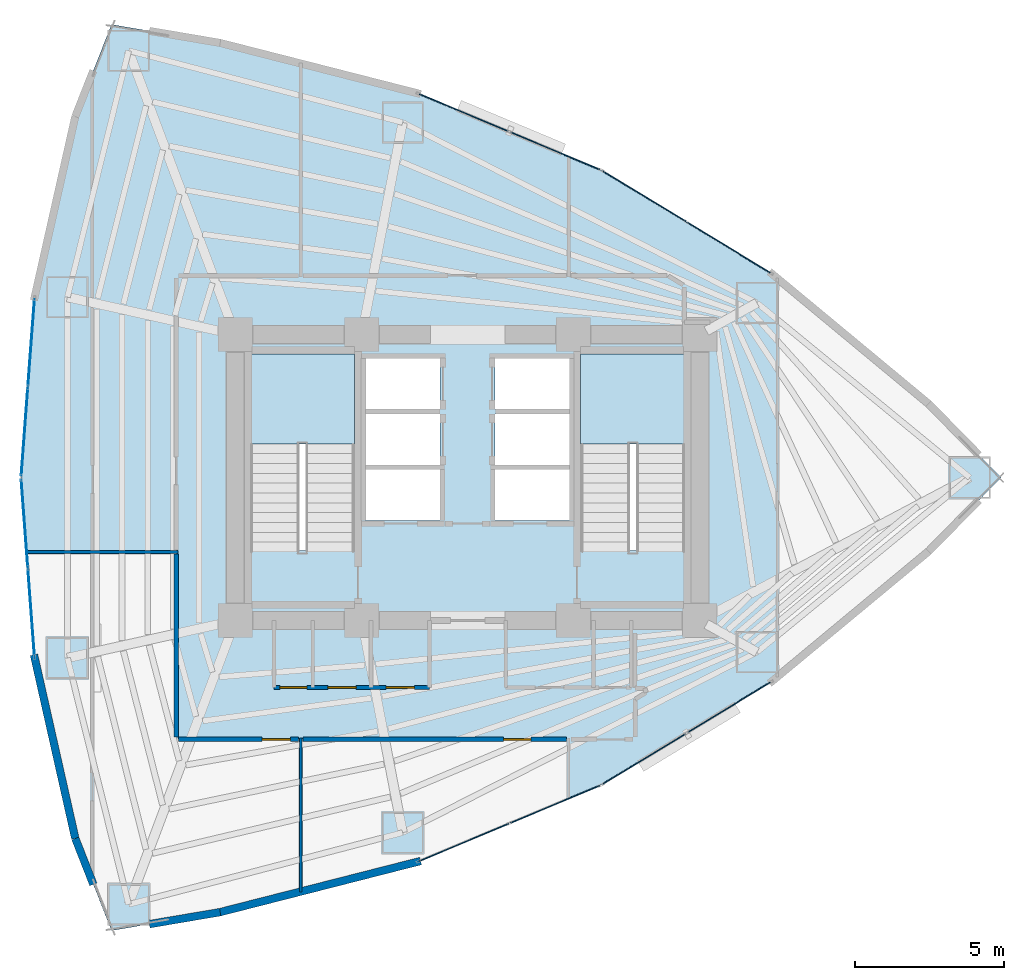
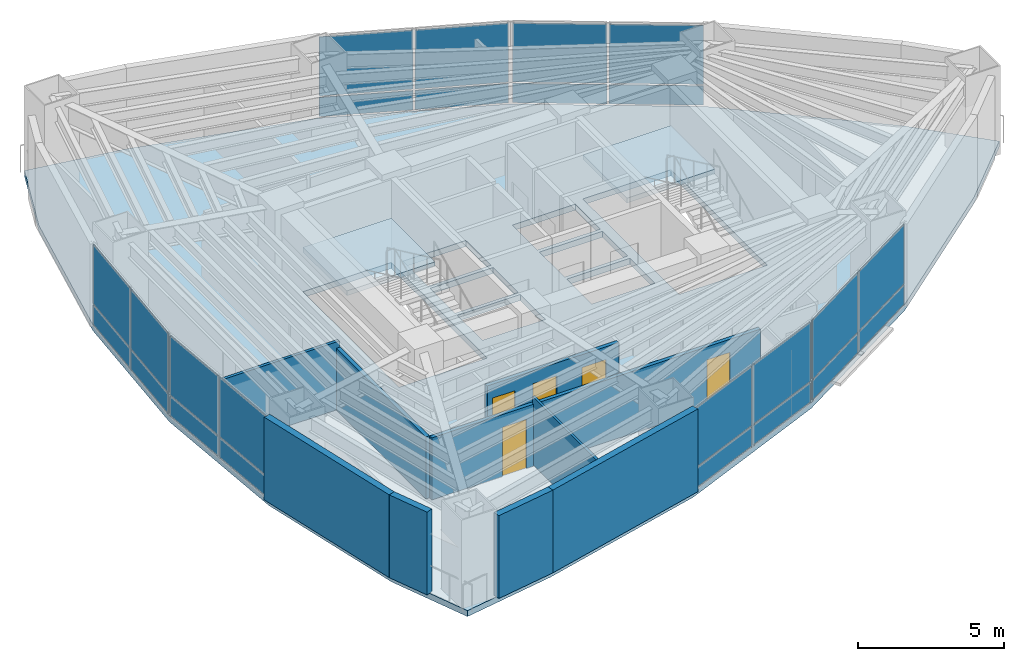
# One storey, part 13 of 17: 24 plates, 10 walls, 5 doors, 3 slabs, 5 openings, 8 elements without a shape of their own.
"""IFC4 building model written with IfcOpenShell, lengths in metres."""

import ifcopenshell
import ifcopenshell.guid

model = None  # the IFC model being written
_history = None  # IfcOwnerHistory: only IFC2X3 demands one
_inside = {}  # id of a spatial element -> (the spatial element, [elements in it])
_under = {}  # id of a project, library or spatial element -> (it, [spatial elements below it])
_declared = {}  # id of a project -> (the project, [libraries it declares])
_typed = {}  # id of a type object -> (the type object, [elements of that type])
_made_of = {}  # id of a material, layer set ... -> (it, [elements and type objects made of it])


def new_model(schema):
    """Start an empty IFC model of exactly this schema.

    Asked for "IFC4X3", IfcOpenShell would pick the latest addendum, in which some entities
    have other attributes; the version numbers below select the first issue.
    IFC2X3 requires an IfcOwnerHistory on every rooted entity: one is made here for all.
    """
    global model, _history
    if schema == "IFC4X3":
        model = ifcopenshell.file(schema_version=(4, 3, 0, 0))
    else:
        model = ifcopenshell.file(schema=schema)
    _inside.clear()
    _under.clear()
    _declared.clear()
    _typed.clear()
    _made_of.clear()
    _history = None
    if model.schema == "IFC2X3":
        org = make("IfcOrganization", Name="unknown")
        user = make(
            "IfcPersonAndOrganization",
            ThePerson=make("IfcPerson", FamilyName="unknown"),
            TheOrganization=org,
        )
        app = make(
            "IfcApplication",
            ApplicationDeveloper=org,
            Version="unknown",
            ApplicationFullName="unknown",
            ApplicationIdentifier="unknown",
        )
        _history = make(
            "IfcOwnerHistory",
            OwningUser=user,
            OwningApplication=app,
            ChangeAction="ADDED",
            CreationDate=0,
        )
    return model


def make(cls, **values):
    """One entity of the class cls with the attributes given. An attribute that is None is left unset."""
    return model.create_entity(
        cls, **{name: value for name, value in values.items() if value is not None}
    )


def rooted(cls, **values):
    """An entity with a GlobalId (a new one), such as an element, a storey or a relation."""
    return make(cls, GlobalId=ifcopenshell.guid.new(), OwnerHistory=_history, **values)


def si_unit(unit_type, name, prefix=None):
    """IfcSIUnit, for example si_unit("LENGTHUNIT", "METRE", prefix="MILLI")."""
    return make("IfcSIUnit", UnitType=unit_type, Prefix=prefix, Name=name)


def assignment(units):
    """IfcUnitAssignment: the units of a project."""
    return None if units is None else make("IfcUnitAssignment", Units=units)


def point(xyz):
    """IfcCartesianPoint."""
    return None if xyz is None else make("IfcCartesianPoint", Coordinates=xyz)


def direction(xyz):
    """IfcDirection."""
    return None if xyz is None else make("IfcDirection", DirectionRatios=xyz)


def frame(location, z_axis=None, x_axis=None):
    """IfcAxis2Placement3D, a coordinate frame: its origin and axes. An axis left out is left unset."""
    return make(
        "IfcAxis2Placement3D",
        Location=point(location),
        Axis=direction(z_axis),
        RefDirection=direction(x_axis),
    )


def frame_2d(location, x_axis=None):
    """IfcAxis2Placement2D, a coordinate frame in the plane: its origin and x axis."""
    return make(
        "IfcAxis2Placement2D", Location=point(location), RefDirection=direction(x_axis)
    )


def origin():
    """The frame at (0, 0, 0) with its axes left unset."""
    return frame((0.0, 0.0, 0.0))


def origin_2d():
    """The frame at (0, 0) in the plane with its x axis left unset."""
    return frame_2d((0.0, 0.0))


def place(relative_to, where):
    """IfcLocalPlacement: puts the frame where relative to a parent placement (None: the world)."""
    return make(
        "IfcLocalPlacement", PlacementRelTo=relative_to, RelativePlacement=where
    )


def context(
    kind, dimensions, precision=None, world=None, true_north=None, identifier=None
):
    """IfcGeometricRepresentationContext, for example the 3D "Model" context."""
    return make(
        "IfcGeometricRepresentationContext",
        ContextIdentifier=identifier,
        ContextType=kind,
        CoordinateSpaceDimension=dimensions,
        Precision=precision,
        WorldCoordinateSystem=world,
        TrueNorth=true_north,
    )


def subcontext(parent, identifier, kind, view, scale=None):
    """IfcGeometricRepresentationSubContext, for example "Body" below "Model"."""
    return make(
        "IfcGeometricRepresentationSubContext",
        ContextIdentifier=identifier,
        ContextType=kind,
        ParentContext=parent,
        TargetScale=scale,
        TargetView=view,
    )


def project(units=None, contexts=None):
    """IfcProject with its units and contexts."""
    return rooted(
        "IfcProject",
        Name="project",
        RepresentationContexts=contexts,
        UnitsInContext=assignment(units),
    )


def spatial(cls, under=None, at=None, **own):
    """A site, building, storey or space (cls), placed at a placement, below another one or the project."""
    s = rooted(cls, ObjectPlacement=at, **own)
    if under is not None:
        _under.setdefault(under.id(), (under, []))[1].append(s)
    return s


def polyline(points):
    """IfcPolyline through the points."""
    return make("IfcPolyline", Points=[point(p) for p in points])


def profile(cls, at=None, kind="AREA", **sizes):
    """A parametric profile (cls). Its sizes go by their IFC names, for example OverallWidth=200.0."""
    return make(cls, ProfileType=kind, Position=at, **sizes)


def rectangle(**sizes):
    """IfcRectangleProfileDef."""
    return profile("IfcRectangleProfileDef", **sizes)


def outline(outer, holes=None, kind="AREA"):
    """IfcArbitraryClosedProfileDef: a profile drawn as a closed curve; with holes, ...WithVoids."""
    if holes is None:
        return make("IfcArbitraryClosedProfileDef", ProfileType=kind, OuterCurve=outer)
    return make(
        "IfcArbitraryProfileDefWithVoids",
        ProfileType=kind,
        OuterCurve=outer,
        InnerCurves=holes,
    )


def extrude(swept, where, along, depth):
    """IfcExtrudedAreaSolid: the profile swept, set in the frame where, extruded along a direction by depth."""
    return make(
        "IfcExtrudedAreaSolid",
        SweptArea=swept,
        Position=where,
        ExtrudedDirection=direction(along),
        Depth=depth,
    )


def shape(context_of_items, identifier, shape_type, items):
    """IfcShapeRepresentation: the items that make up one representation, for example the "Body"."""
    return make(
        "IfcShapeRepresentation",
        ContextOfItems=context_of_items,
        RepresentationIdentifier=identifier,
        RepresentationType=shape_type,
        Items=items,
    )


def material(Name=None, Category=None):
    """IfcMaterial."""
    return make("IfcMaterial", Name=Name, Category=Category)


def layer(
    of_material, thickness, ventilated=None, Name=None, Category=None, Priority=None
):
    """IfcMaterialLayer: one layer of a wall or slab, of a material (None: an air gap)."""
    return make(
        "IfcMaterialLayer",
        Material=of_material,
        LayerThickness=thickness,
        IsVentilated=ventilated,
        Name=Name,
        Category=Category,
        Priority=Priority,
    )


def layer_set(layers, Name=None):
    """IfcMaterialLayerSet."""
    return make("IfcMaterialLayerSet", MaterialLayers=layers, LayerSetName=Name)


def made_of(thing, what):
    """Note that an element or type object is made of a material, layer set ...; save() writes the relation."""
    if what is not None:
        _made_of.setdefault(what.id(), (what, []))[1].append(thing)
    return thing


def type_object(cls, material=None, **own):
    """A type object (cls), such as IfcWallType, which elements share."""
    return made_of(rooted(cls, **own), material)


def element(
    cls,
    number,
    at=None,
    inside=None,
    cuts=None,
    type_object=None,
    material=None,
    context=None,
    identifier="Body",
    shape_type=None,
    held_by="IfcProductDefinitionShape",
    body=None,
    shapes=None,
    **own,
):
    """One element of the class cls, such as IfcWall. Its Tag is "e" and its number.

    at: its placement. inside: the storey or other place that contains it. cuts: it is an
    opening in that element (IfcRelVoidsElement). A single representation is given by context,
    identifier, shape_type and body (its items); several are given by shapes. held_by: the class
    of the entity that holds the representations. save() writes the other relations.
    """
    e = rooted(cls, Tag="e%d" % number, ObjectPlacement=at, **own)
    if body is not None:
        shapes = [shape(context, identifier, shape_type, body)]
    if shapes is not None:
        e.Representation = make(held_by, Representations=shapes)
    if inside is not None:
        _inside.setdefault(inside.id(), (inside, []))[1].append(e)
    if cuts is not None:
        rooted(
            "IfcRelVoidsElement", RelatingBuildingElement=cuts, RelatedOpeningElement=e
        )
    if type_object is not None:
        _typed.setdefault(type_object.id(), (type_object, []))[1].append(e)
    return made_of(e, material)


def fill(opening, filler):
    """IfcRelFillsElement: the door or window that sits in an opening."""
    return rooted(
        "IfcRelFillsElement",
        RelatingOpeningElement=opening,
        RelatedBuildingElement=filler,
    )


def aggregate(whole, parts):
    """IfcRelAggregates: a whole, such as a stair, and the parts it consists of."""
    return rooted("IfcRelAggregates", RelatingObject=whole, RelatedObjects=parts)


def save(model, path):
    """Write the relations noted so far, then the file.

    IfcRelAggregates (storeys below a building ...), IfcRelContainedInSpatialStructure (elements
    in a storey), IfcRelDefinesByType, IfcRelAssociatesMaterial and IfcRelDeclares: one each for
    every whole, place, type object, material and project.
    """
    for whole, parts in _under.values():
        aggregate(whole, parts)
    for where, things in _inside.values():
        rooted(
            "IfcRelContainedInSpatialStructure",
            RelatedElements=things,
            RelatingStructure=where,
        )
    for kind, things in _typed.values():
        rooted("IfcRelDefinesByType", RelatedObjects=things, RelatingType=kind)
    for what, things in _made_of.values():
        rooted("IfcRelAssociatesMaterial", RelatedObjects=things, RelatingMaterial=what)
    for by, libraries in _declared.values():
        rooted("IfcRelDeclares", RelatingContext=by, RelatedDefinitions=libraries)
    model.write(path)


model = new_model("IFC4")

# Units and contexts
model_context = context("Model", 3, precision=1e-05, world=origin(), true_north=direction((0.0, 1.0)))
body_context = subcontext(model_context, "Body", "Model", "MODEL_VIEW")
ifc_project = project(units=[si_unit("LENGTHUNIT", "METRE"), si_unit("AREAUNIT", "SQUARE_METRE"), si_unit("VOLUMEUNIT", "CUBIC_METRE"), si_unit("PLANEANGLEUNIT", "RADIAN"), si_unit("MASSUNIT", "GRAM", prefix="KILO")], contexts=[model_context])

# Site, building, storey
site_placement = place(None, origin())
site = spatial("IfcSite", under=ifc_project, at=site_placement, CompositionType="ELEMENT")
building_placement = place(site_placement, origin())
building = spatial("IfcBuilding", under=site, at=building_placement, Name="Menara Vayukalpa", CompositionType="ELEMENT")
storey_placement = place(building_placement, frame((0.0, 0.0, 46.199951171875)))
storey = spatial("IfcBuildingStorey", under=building, at=storey_placement, Name="L10", CompositionType="ELEMENT", Elevation=46.199951171875)

# Curtain wall, plates
ifc_material_1 = material(Name="Anodised Terracotta Aluminium Alloy 6063-T6", Category="masonry")
ifc_layer_1 = layer(ifc_material_1, 0.1650390625)
ifc_layer_set_1 = layer_set([ifc_layer_1], Name="Anodised Terracotta Aluminium Alloy 6063-T6")
curtain_wall_type = type_object("IfcCurtainWallType", Name="CW-CW2", PredefinedType="USERDEFINED", material=ifc_layer_set_1)
curtain_wall_1_placement = place(storey_placement, origin())
curtain_wall_1 = element("IfcCurtainWall", 1, at=curtain_wall_1_placement, inside=storey, type_object=curtain_wall_type, Name="L10 Low Rise Terracotta Ribbon Curtain Wall CW2 04", ObjectType="UNITISED", PredefinedType="USERDEFINED")
ifc_material_2 = material(Name="Low-E Double Glazing", Category="glass")
ifc_layer_2 = layer(ifc_material_2, 0.031982421875)
ifc_layer_set_2 = layer_set([ifc_layer_2], Name="Low-E Double Glazing")
plate_type = type_object("IfcPlateType", Name="CWP-CW2", PredefinedType="CURTAIN_PANEL", material=ifc_layer_set_2)
plate_1_placement = place(storey_placement, frame((34.371826171875, 29.721435546875, 0.06494140625), z_axis=(0.0, 0.0, 1.0), x_axis=(-0.854663727945, 0.519181964377, 0.0)))
plate_1 = element("IfcPlate", 2, at=plate_1_placement, type_object=plate_type, Name="CW2 panel 1.1", PredefinedType="CURTAIN_PANEL", context=body_context, shape_type="SweptSolid", body=[
    extrude(rectangle(XDim=3.24267578125, YDim=0.031982421875, at=origin_2d()), origin(), (0.0, 0.0, 1.0), 0.802490234375),
])
plate_2_placement = place(storey_placement, frame((34.371826171875, 29.721435546875, 0.9326171875), z_axis=(0.0, 0.0, 1.0), x_axis=(-0.854663727945, 0.519181964377, 0.0)))
plate_2 = element("IfcPlate", 3, at=plate_2_placement, type_object=plate_type, Name="CW2 panel 1.2", PredefinedType="CURTAIN_PANEL", context=body_context, shape_type="SweptSolid", body=[
    extrude(rectangle(XDim=3.24267578125, YDim=0.031982421875, at=origin_2d()), origin(), (0.0, 0.0, 1.0), 2.472412109375),
])
plate_3_placement = place(storey_placement, frame((31.54052734375, 31.44140625, 0.06494140625), z_axis=(0.0, 0.0, 1.0), x_axis=(-0.854663727945, 0.519181964377, 0.0)))
plate_3 = element("IfcPlate", 4, at=plate_3_placement, type_object=plate_type, Name="CW2 panel 2.1", PredefinedType="CURTAIN_PANEL", context=body_context, shape_type="SweptSolid", body=[
    extrude(rectangle(XDim=3.24267578125, YDim=0.031982421875, at=origin_2d()), origin(), (0.0, 0.0, 1.0), 0.802490234375),
])
plate_4_placement = place(storey_placement, frame((31.54052734375, 31.44140625, 0.9326171875), z_axis=(0.0, 0.0, 1.0), x_axis=(-0.854663727945, 0.519181964377, 0.0)))
plate_4 = element("IfcPlate", 5, at=plate_4_placement, type_object=plate_type, Name="CW2 panel 2.2", PredefinedType="CURTAIN_PANEL", context=body_context, shape_type="SweptSolid", body=[
    extrude(rectangle(XDim=3.24267578125, YDim=0.031982421875, at=origin_2d()), origin(), (0.0, 0.0, 1.0), 2.472412109375),
])
aggregate(curtain_wall_1, [plate_1, plate_2, plate_3, plate_4])

curtain_wall_2_placement = place(storey_placement, origin())
curtain_wall_2 = element("IfcCurtainWall", 6, at=curtain_wall_2_placement, inside=storey, type_object=curtain_wall_type, Name="L10 Low Rise Terracotta Ribbon Curtain Wall CW2 05", ObjectType="UNITISED", PredefinedType="USERDEFINED")
plate_5_placement = place(storey_placement, frame((28.534912109375, 32.97216796875, 0.06494140625), z_axis=(0.0, 0.0, 1.0), x_axis=(-0.922542658101, 0.385895120445, 0.0)))
plate_5 = element("IfcPlate", 7, at=plate_5_placement, type_object=plate_type, Name="CW2 panel 1.1", PredefinedType="CURTAIN_PANEL", context=body_context, shape_type="SweptSolid", body=[
    extrude(rectangle(XDim=3.242431640625, YDim=0.031982421875, at=origin_2d()), origin(), (0.0, 0.0, 1.0), 0.802490234375),
])
plate_6_placement = place(storey_placement, frame((28.534912109375, 32.97216796875, 0.9326171875), z_axis=(0.0, 0.0, 1.0), x_axis=(-0.922542658101, 0.385895120445, 0.0)))
plate_6 = element("IfcPlate", 8, at=plate_6_placement, type_object=plate_type, Name="CW2 panel 1.2", PredefinedType="CURTAIN_PANEL", context=body_context, shape_type="SweptSolid", body=[
    extrude(rectangle(XDim=3.242431640625, YDim=0.031982421875, at=origin_2d()), origin(), (0.0, 0.0, 1.0), 2.472412109375),
])
plate_7_placement = place(storey_placement, frame((25.478759765625, 34.250244140625, 0.06494140625), z_axis=(0.0, 0.0, 1.0), x_axis=(-0.922542658101, 0.385895120445, 0.0)))
plate_7 = element("IfcPlate", 9, at=plate_7_placement, type_object=plate_type, Name="CW2 panel 2.1", PredefinedType="CURTAIN_PANEL", context=body_context, shape_type="SweptSolid", body=[
    extrude(rectangle(XDim=3.242431640625, YDim=0.031982421875, at=origin_2d()), origin(), (0.0, 0.0, 1.0), 0.802490234375),
])
plate_8_placement = place(storey_placement, frame((25.478759765625, 34.250244140625, 0.9326171875), z_axis=(0.0, 0.0, 1.0), x_axis=(-0.922542658101, 0.385895120445, 0.0)))
plate_8 = element("IfcPlate", 10, at=plate_8_placement, type_object=plate_type, Name="CW2 panel 2.2", PredefinedType="CURTAIN_PANEL", context=body_context, shape_type="SweptSolid", body=[
    extrude(rectangle(XDim=3.242431640625, YDim=0.031982421875, at=origin_2d()), origin(), (0.0, 0.0, 1.0), 2.472412109375),
])
aggregate(curtain_wall_2, [plate_5, plate_6, plate_7, plate_8])

curtain_wall_3_placement = place(storey_placement, origin())
curtain_wall_3 = element("IfcCurtainWall", 11, at=curtain_wall_3_placement, inside=storey, type_object=curtain_wall_type, Name="L10 Low Rise Terracotta Ribbon Curtain Wall CW2 10", ObjectType="UNITISED", PredefinedType="USERDEFINED")
plate_9_placement = place(storey_placement, frame((10.94921875, 26.52734375, 0.06494140625), z_axis=(0.0, 0.0, 1.0), x_axis=(-0.074794857576, -0.997198941676, 0.0)))
plate_9 = element("IfcPlate", 12, at=plate_9_placement, type_object=plate_type, Name="CW2 panel 1.1", PredefinedType="CURTAIN_PANEL", context=body_context, shape_type="SweptSolid", body=[
    extrude(rectangle(XDim=2.933349609375, YDim=0.031982421875, at=origin_2d()), origin(), (0.0, 0.0, 1.0), 0.802490234375),
])
plate_10_placement = place(storey_placement, frame((10.94921875, 26.52734375, 0.9326171875), z_axis=(0.0, 0.0, 1.0), x_axis=(-0.074794857576, -0.997198941676, 0.0)))
plate_10 = element("IfcPlate", 13, at=plate_10_placement, type_object=plate_type, Name="CW2 panel 1.2", PredefinedType="CURTAIN_PANEL", context=body_context, shape_type="SweptSolid", body=[
    extrude(rectangle(XDim=2.933349609375, YDim=0.031982421875, at=origin_2d()), origin(), (0.0, 0.0, 1.0), 2.472412109375),
])
plate_11_placement = place(storey_placement, frame((10.724609375, 23.532470703125, 0.06494140625), z_axis=(0.0, 0.0, 1.0), x_axis=(-0.074794857576, -0.997198941676, 0.0)))
plate_11 = element("IfcPlate", 14, at=plate_11_placement, type_object=plate_type, Name="CW2 panel 2.1", PredefinedType="CURTAIN_PANEL", context=body_context, shape_type="SweptSolid", body=[
    extrude(rectangle(XDim=2.933349609375, YDim=0.031982421875, at=origin_2d()), origin(), (0.0, 0.0, 1.0), 0.802490234375),
])
plate_12_placement = place(storey_placement, frame((10.724609375, 23.532470703125, 0.9326171875), z_axis=(0.0, 0.0, 1.0), x_axis=(-0.074794857576, -0.997198941676, 0.0)))
plate_12 = element("IfcPlate", 15, at=plate_12_placement, type_object=plate_type, Name="CW2 panel 2.2", PredefinedType="CURTAIN_PANEL", context=body_context, shape_type="SweptSolid", body=[
    extrude(rectangle(XDim=2.933349609375, YDim=0.031982421875, at=origin_2d()), origin(), (0.0, 0.0, 1.0), 2.472412109375),
])
aggregate(curtain_wall_3, [plate_9, plate_10, plate_11, plate_12])

curtain_wall_4_placement = place(storey_placement, origin())
curtain_wall_4 = element("IfcCurtainWall", 16, at=curtain_wall_4_placement, inside=storey, type_object=curtain_wall_type, Name="L10 Low Rise Terracotta Ribbon Curtain Wall CW2 11", ObjectType="UNITISED", PredefinedType="USERDEFINED")
plate_13_placement = place(storey_placement, frame((10.724609375, 20.467529296875, 0.06494140625), z_axis=(0.0, 0.0, 1.0), x_axis=(0.074794857576, -0.997198941676, 0.0)))
plate_13 = element("IfcPlate", 17, at=plate_13_placement, type_object=plate_type, Name="CW2 panel 1.1", PredefinedType="CURTAIN_PANEL", context=body_context, shape_type="SweptSolid", body=[
    extrude(rectangle(XDim=2.933349609375, YDim=0.031982421875, at=origin_2d()), origin(), (0.0, 0.0, 1.0), 0.802490234375),
])
plate_14_placement = place(storey_placement, frame((10.724609375, 20.467529296875, 0.9326171875), z_axis=(0.0, 0.0, 1.0), x_axis=(0.074794857576, -0.997198941676, 0.0)))
plate_14 = element("IfcPlate", 18, at=plate_14_placement, type_object=plate_type, Name="CW2 panel 1.2", PredefinedType="CURTAIN_PANEL", context=body_context, shape_type="SweptSolid", body=[
    extrude(rectangle(XDim=2.933349609375, YDim=0.031982421875, at=origin_2d()), origin(), (0.0, 0.0, 1.0), 2.472412109375),
])
plate_15_placement = place(storey_placement, frame((10.94921875, 17.47265625, 0.06494140625), z_axis=(0.0, 0.0, 1.0), x_axis=(0.074794857576, -0.997198941676, 0.0)))
plate_15 = element("IfcPlate", 19, at=plate_15_placement, type_object=plate_type, Name="CW2 panel 2.1", PredefinedType="CURTAIN_PANEL", context=body_context, shape_type="SweptSolid", body=[
    extrude(rectangle(XDim=2.933349609375, YDim=0.031982421875, at=origin_2d()), origin(), (0.0, 0.0, 1.0), 0.802490234375),
])
plate_16_placement = place(storey_placement, frame((10.94921875, 17.47265625, 0.9326171875), z_axis=(0.0, 0.0, 1.0), x_axis=(0.074794857576, -0.997198941676, 0.0)))
plate_16 = element("IfcPlate", 20, at=plate_16_placement, type_object=plate_type, Name="CW2 panel 2.2", PredefinedType="CURTAIN_PANEL", context=body_context, shape_type="SweptSolid", body=[
    extrude(rectangle(XDim=2.933349609375, YDim=0.031982421875, at=origin_2d()), origin(), (0.0, 0.0, 1.0), 2.472412109375),
])
aggregate(curtain_wall_4, [plate_13, plate_14, plate_15, plate_16])

curtain_wall_5_placement = place(storey_placement, origin())
curtain_wall_5 = element("IfcCurtainWall", 21, at=curtain_wall_5_placement, inside=storey, type_object=curtain_wall_type, Name="L10 Low Rise Terracotta Ribbon Curtain Wall CW2 16", ObjectType="UNITISED", PredefinedType="USERDEFINED")
plate_17_placement = place(storey_placement, frame((25.478759765625, 9.749755859375, 0.06494140625), z_axis=(0.0, 0.0, 1.0), x_axis=(0.922542658101, 0.385895120445, 0.0)))
plate_17 = element("IfcPlate", 22, at=plate_17_placement, type_object=plate_type, Name="CW2 panel 1.1", PredefinedType="CURTAIN_PANEL", context=body_context, shape_type="SweptSolid", body=[
    extrude(rectangle(XDim=3.242431640625, YDim=0.031982421875, at=origin_2d()), origin(), (0.0, 0.0, 1.0), 0.802490234375),
])
plate_18_placement = place(storey_placement, frame((25.478759765625, 9.749755859375, 0.9326171875), z_axis=(0.0, 0.0, 1.0), x_axis=(0.922542658101, 0.385895120445, 0.0)))
plate_18 = element("IfcPlate", 23, at=plate_18_placement, type_object=plate_type, Name="CW2 panel 1.2", PredefinedType="CURTAIN_PANEL", context=body_context, shape_type="SweptSolid", body=[
    extrude(rectangle(XDim=3.242431640625, YDim=0.031982421875, at=origin_2d()), origin(), (0.0, 0.0, 1.0), 2.472412109375),
])
plate_19_placement = place(storey_placement, frame((28.534912109375, 11.02783203125, 0.06494140625), z_axis=(0.0, 0.0, 1.0), x_axis=(0.922542658101, 0.385895120445, 0.0)))
plate_19 = element("IfcPlate", 24, at=plate_19_placement, type_object=plate_type, Name="CW2 panel 2.1", PredefinedType="CURTAIN_PANEL", context=body_context, shape_type="SweptSolid", body=[
    extrude(rectangle(XDim=3.242431640625, YDim=0.031982421875, at=origin_2d()), origin(), (0.0, 0.0, 1.0), 0.802490234375),
])
plate_20_placement = place(storey_placement, frame((28.534912109375, 11.02783203125, 0.9326171875), z_axis=(0.0, 0.0, 1.0), x_axis=(0.922542658101, 0.385895120445, 0.0)))
plate_20 = element("IfcPlate", 25, at=plate_20_placement, type_object=plate_type, Name="CW2 panel 2.2", PredefinedType="CURTAIN_PANEL", context=body_context, shape_type="SweptSolid", body=[
    extrude(rectangle(XDim=3.242431640625, YDim=0.031982421875, at=origin_2d()), origin(), (0.0, 0.0, 1.0), 2.472412109375),
])
aggregate(curtain_wall_5, [plate_17, plate_18, plate_19, plate_20])

curtain_wall_6_placement = place(storey_placement, origin())
curtain_wall_6 = element("IfcCurtainWall", 26, at=curtain_wall_6_placement, inside=storey, type_object=curtain_wall_type, Name="L10 Low Rise Terracotta Ribbon Curtain Wall CW2 17", ObjectType="UNITISED", PredefinedType="USERDEFINED")
plate_21_placement = place(storey_placement, frame((31.54052734375, 12.55859375, 0.06494140625), z_axis=(0.0, 0.0, 1.0), x_axis=(0.854663727945, 0.519181964377, 0.0)))
plate_21 = element("IfcPlate", 27, at=plate_21_placement, type_object=plate_type, Name="CW2 panel 1.1", PredefinedType="CURTAIN_PANEL", context=body_context, shape_type="SweptSolid", body=[
    extrude(rectangle(XDim=3.24267578125, YDim=0.031982421875, at=origin_2d()), origin(), (0.0, 0.0, 1.0), 0.802490234375),
])
plate_22_placement = place(storey_placement, frame((31.54052734375, 12.55859375, 0.9326171875), z_axis=(0.0, 0.0, 1.0), x_axis=(0.854663727945, 0.519181964377, 0.0)))
plate_22 = element("IfcPlate", 28, at=plate_22_placement, type_object=plate_type, Name="CW2 panel 1.2", PredefinedType="CURTAIN_PANEL", context=body_context, shape_type="SweptSolid", body=[
    extrude(rectangle(XDim=3.24267578125, YDim=0.031982421875, at=origin_2d()), origin(), (0.0, 0.0, 1.0), 2.472412109375),
])
plate_23_placement = place(storey_placement, frame((34.371826171875, 14.278564453125, 0.06494140625), z_axis=(0.0, 0.0, 1.0), x_axis=(0.854663727945, 0.519181964377, 0.0)))
plate_23 = element("IfcPlate", 29, at=plate_23_placement, type_object=plate_type, Name="CW2 panel 2.1", PredefinedType="CURTAIN_PANEL", context=body_context, shape_type="SweptSolid", body=[
    extrude(rectangle(XDim=3.24267578125, YDim=0.031982421875, at=origin_2d()), origin(), (0.0, 0.0, 1.0), 0.802490234375),
])
plate_24_placement = place(storey_placement, frame((34.371826171875, 14.278564453125, 0.9326171875), z_axis=(0.0, 0.0, 1.0), x_axis=(0.854663727945, 0.519181964377, 0.0)))
plate_24 = element("IfcPlate", 30, at=plate_24_placement, type_object=plate_type, Name="CW2 panel 2.2", PredefinedType="CURTAIN_PANEL", context=body_context, shape_type="SweptSolid", body=[
    extrude(rectangle(XDim=3.24267578125, YDim=0.031982421875, at=origin_2d()), origin(), (0.0, 0.0, 1.0), 2.472412109375),
])
aggregate(curtain_wall_6, [plate_21, plate_22, plate_23, plate_24])

# Slab
ifc_material_3 = material(Name="Concrete C40/50", Category="concrete")
ifc_layer_3 = layer(ifc_material_3, 0.25)
ifc_layer_set_3 = layer_set([ifc_layer_3], Name="Concrete C40/50")
slab_type_1 = type_object("IfcSlabType", Name="SLB-FL250", PredefinedType="FLOOR", material=ifc_layer_set_3)
slab_1_placement = place(storey_placement, frame((0.0, 0.0, -0.25)))
element("IfcSlab", 31, at=slab_1_placement, inside=storey, type_object=slab_type_1, Name="L10 Structural Floor Slab", PredefinedType="FLOOR", context=body_context, shape_type="SweptSolid", body=[
    extrude(outline(polyline([(41.084716796875, 19.52490234375), (43.514892578125, 22.0), (41.084716796875, 24.47509765625), (35.817138671875, 28.843505859375), (30.09521484375, 32.3193359375), (23.918701171875, 34.903076171875), (17.28759765625, 36.59423828125), (13.642578125, 37.212890625), (12.427490234375, 34.119140625), (11.064208984375, 28.0595703125), (10.609619140625, 22.0), (11.064208984375, 15.9404296875), (12.427490234375, 9.880859375), (13.642578125, 6.787109375), (17.28759765625, 7.40576171875), (23.918701171875, 9.096923828125), (30.09521484375, 11.6806640625), (35.817138671875, 15.156494140625), (41.084716796875, 19.52490234375)]), holes=[polyline([(21.800048828125, 19.550048828125), (21.800048828125, 26.14990234375), (18.300048828125, 26.14990234375), (18.300048828125, 19.550048828125), (21.800048828125, 19.550048828125)]), polyline([(32.89990234375, 19.550048828125), (32.89990234375, 26.14990234375), (29.39990234375, 26.14990234375), (29.39990234375, 19.550048828125), (32.89990234375, 19.550048828125)]), polyline([(22.179931640625, 20.550048828125), (24.679931640625, 20.550048828125), (24.679931640625, 22.27001953125), (22.179931640625, 22.27001953125), (22.179931640625, 20.550048828125)]), polyline([(26.52001953125, 20.550048828125), (29.02001953125, 20.550048828125), (29.02001953125, 22.27001953125), (26.52001953125, 22.27001953125), (26.52001953125, 20.550048828125)]), polyline([(22.179931640625, 22.419921875), (24.679931640625, 22.419921875), (24.679931640625, 24.139892578125), (22.179931640625, 24.139892578125), (22.179931640625, 22.419921875)]), polyline([(22.179931640625, 24.2900390625), (24.679931640625, 24.2900390625), (24.679931640625, 26.010009765625), (22.179931640625, 26.010009765625), (22.179931640625, 24.2900390625)]), polyline([(26.52001953125, 24.2900390625), (29.02001953125, 24.2900390625), (29.02001953125, 26.010009765625), (26.52001953125, 26.010009765625), (26.52001953125, 24.2900390625)]), polyline([(26.52001953125, 22.419921875), (29.02001953125, 22.419921875), (29.02001953125, 24.139892578125), (26.52001953125, 24.139892578125), (26.52001953125, 22.419921875)])]), origin(), (0.0, 0.0, 1.0), 0.25),
])

# Stair, slab
ifc_material_4 = material(Name="Precast Concrete C40/50", Category="concrete")
stair_type = type_object("IfcStairType", Name="STR-T04", PredefinedType="DOUBLE_RETURN_STAIR", material=ifc_material_4)
stair_1_placement = place(storey_placement, origin())
stair_1 = element("IfcStair", 32, at=stair_1_placement, inside=storey, type_object=stair_type, Name="L10 Core Exit Stair ST-1", PredefinedType="DOUBLE_RETURN_STAIR")
ifc_material_5 = material(Name="Precast Concrete C40/50", Category="concrete")
ifc_layer_4 = layer(ifc_material_5, 0.199951171875)
ifc_layer_set_4 = layer_set([ifc_layer_4], Name="Precast Concrete C40/50")
slab_type_2 = type_object("IfcSlabType", Name="SLB-LND200", PredefinedType="LANDING", material=ifc_layer_set_4)
slab_2_placement = place(storey_placement, frame((0.0, 0.0, 1.66015625)))
slab_2 = element("IfcSlab", 33, at=slab_2_placement, type_object=slab_type_2, Name="ST-1 landing 1", PredefinedType="LANDING", context=body_context, shape_type="SweptSolid", body=[
    extrude(outline(polyline([(21.800048828125, 23.1298828125), (21.800048828125, 26.14990234375), (18.300048828125, 26.14990234375), (18.300048828125, 23.1298828125), (21.800048828125, 23.1298828125)])), origin(), (0.0, 0.0, 1.0), 0.199951171875),
])
aggregate(stair_1, [slab_2])

stair_2_placement = place(storey_placement, origin())
stair_2 = element("IfcStair", 34, at=stair_2_placement, inside=storey, type_object=stair_type, Name="L10 Core Exit Stair ST-2", PredefinedType="DOUBLE_RETURN_STAIR")
slab_3_placement = place(storey_placement, frame((0.0, 0.0, 1.66015625)))
slab_3 = element("IfcSlab", 35, at=slab_3_placement, type_object=slab_type_2, Name="ST-2 landing 1", PredefinedType="LANDING", context=body_context, shape_type="SweptSolid", body=[
    extrude(outline(polyline([(32.89990234375, 23.1298828125), (32.89990234375, 26.14990234375), (29.39990234375, 26.14990234375), (29.39990234375, 23.1298828125), (32.89990234375, 23.1298828125)])), origin(), (0.0, 0.0, 1.0), 0.199951171875),
])
aggregate(stair_2, [slab_3])

# Walls
ifc_material_6 = material(Name="Insulated Precast Concrete C40/50", Category="concrete")
ifc_layer_5 = layer(ifc_material_6, 0.260009765625)
ifc_layer_set_5 = layer_set([ifc_layer_5], Name="Insulated Precast Concrete C40/50")
wall_type_1 = type_object("IfcWallType", Name="WAL-EXT260", PredefinedType="PARTITIONING", material=ifc_layer_set_5)
wall_1_placement = place(storey_placement, frame((12.427490234375, 9.880859375, 0.0), z_axis=(0.0, 0.0, 1.0), x_axis=(-0.219502085231, 0.975612030768, 0.0)))
element("IfcWall", 36, at=wall_1_placement, inside=storey, type_object=wall_type_1, Name="L10 Perimeter Terracotta Pier Wall 12", PredefinedType="PARTITIONING", context=body_context, shape_type="SweptSolid", body=[
    extrude(rectangle(XDim=6.32080078125, YDim=0.260009765625, at=frame_2d((3.160400390625, 0.0))), origin(), (0.0, 0.0, 1.0), 3.469970703125),
])
wall_2_placement = place(storey_placement, frame((13.033203125, 8.339111328125, 0.0), z_axis=(0.0, 0.0, 1.0), x_axis=(-0.365666052462, 0.930746119023, 0.0)))
element("IfcWall", 37, at=wall_2_placement, inside=storey, type_object=wall_type_1, Name="L10 Perimeter Terracotta Pier Wall 13", PredefinedType="PARTITIONING", context=body_context, shape_type="SweptSolid", body=[
    extrude(rectangle(XDim=1.656494140625, YDim=0.260009765625, at=frame_2d((0.828125, 0.0))), origin(), (0.0, 0.0, 1.0), 3.469970703125),
])
wall_3_placement = place(storey_placement, frame((17.29345703125, 7.40673828125, 0.0), z_axis=(0.0, 0.0, 1.0), x_axis=(-0.985905469923, -0.167303330437, 0.0)))
element("IfcWall", 38, at=wall_3_placement, inside=storey, type_object=wall_type_1, Name="L10 Perimeter Terracotta Pier Wall 14", PredefinedType="PARTITIONING", context=body_context, shape_type="SweptSolid", body=[
    extrude(rectangle(XDim=2.412109375, YDim=0.260009765625, at=frame_2d((1.2060546875, 0.0))), origin(), (0.0, 0.0, 1.0), 3.469970703125),
])
wall_4_placement = place(storey_placement, frame((24.025146484375, 9.124267578125, 0.0), z_axis=(0.0, 0.0, 1.0), x_axis=(-0.968977974408, -0.247147092057, 0.0)))
element("IfcWall", 39, at=wall_4_placement, inside=storey, type_object=wall_type_1, Name="L10 Perimeter Terracotta Pier Wall 15", PredefinedType="PARTITIONING", context=body_context, shape_type="SweptSolid", body=[
    extrude(rectangle(XDim=6.959228515625, YDim=0.260009765625, at=frame_2d((3.4794921875, 0.0))), origin(), (0.0, 0.0, 1.0), 3.469970703125),
])
ifc_material_7 = material(Name="Glazed Demountable Office Partition", Category="glass")
ifc_layer_6 = layer(ifc_material_7, 0.094970703125)
ifc_layer_set_6 = layer_set([ifc_layer_6], Name="Glazed Demountable Office Partition")
wall_type_2 = type_object("IfcWallType", Name="WAL-PT100", PredefinedType="PARTITIONING", material=ifc_layer_set_6)
wall_5_placement = place(storey_placement, frame((20.0, 8.08740234375, 0.0), z_axis=(0.0, 0.0, 1.0), x_axis=(0.0, 1.0, 0.0)))
element("IfcWall", 40, at=wall_5_placement, inside=storey, type_object=wall_type_2, Name="L10 Interior Partition IW-L10-RDIV02", PredefinedType="PARTITIONING", context=body_context, shape_type="SweptSolid", body=[
    extrude(rectangle(XDim=5.172607421875, YDim=0.094970703125, at=frame_2d((2.58642578125, 0.0))), origin(), (0.0, 0.0, 1.0), 2.85009765625),
])
ifc_material_8 = material(Name="Acoustic Mineral Stud Partition", Category="masonry")
ifc_layer_7 = layer(ifc_material_8, 0.110107421875)
ifc_layer_set_7 = layer_set([ifc_layer_7], Name="Acoustic Mineral Stud Partition")
wall_type_3 = type_object("IfcWallType", Name="WAL-PT110", PredefinedType="PARTITIONING", material=ifc_layer_set_7)
wall_6_placement = place(storey_placement, frame((10.787109375, 19.5, 0.0), z_axis=(0.0, 0.0, 1.0), x_axis=(1.0, 0.0, 0.0)))
element("IfcWall", 41, at=wall_6_placement, inside=storey, type_object=wall_type_3, Name="L10 Interior Partition IW-L10-RDIV07", PredefinedType="PARTITIONING", context=body_context, shape_type="SweptSolid", body=[
    extrude(rectangle(XDim=5.0830078125, YDim=0.110107421875, at=frame_2d((2.54150390625, 0.0))), origin(), (0.0, 0.0, 1.0), 2.85009765625),
])

# Wall, openings, doors
ifc_material_9 = material(Name="Gypsum Drywall Acoustic Stud Assembly", Category="masonry")
ifc_layer_8 = layer(ifc_material_9, 0.14501953125)
ifc_layer_set_8 = layer_set([ifc_layer_8], Name="Gypsum Drywall Acoustic Stud Assembly")
wall_type_4 = type_object("IfcWallType", Name="WAL-PT150", PredefinedType="PARTITIONING", material=ifc_layer_set_8)
wall_7_placement = place(storey_placement, frame((19.10009765625, 14.949951171875, 0.0), z_axis=(0.0, 0.0, 1.0), x_axis=(1.0, 0.0, 0.0)))
wall_7 = element("IfcWall", 42, at=wall_7_placement, inside=storey, type_object=wall_type_4, Name="L10 Interior Partition IW-L10-SVCS-W", PredefinedType="PARTITIONING", context=body_context, shape_type="SweptSolid", body=[
    extrude(rectangle(XDim=5.219970703125, YDim=0.14501953125, at=frame_2d((2.60986328125, 0.0))), origin(), (0.0, 0.0, 1.0), 2.60009765625),
])
opening_1_placement = place(wall_7_placement, frame((0.199951171875, 0.0, 0.0)))
opening_1 = element("IfcOpeningElement", 43, at=opening_1_placement, cuts=wall_7, Name="Opening ID7", PredefinedType="OPENING", context=body_context, shape_type="SweptSolid", body=[
    extrude(rectangle(XDim=0.89990234375, YDim=2.02001953125, at=frame_2d((0.449951171875, 1.010009765625))), frame((0.0, 0.08251953125, 0.0), z_axis=(0.0, -1.0, 0.0), x_axis=(1.0, 0.0, 0.0)), (0.0, 0.0, 1.0), 0.1650390625),
])
opening_2_placement = place(wall_7_placement, frame((1.804931640625, 0.0, 0.0)))
opening_2 = element("IfcOpeningElement", 44, at=opening_2_placement, cuts=wall_7, Name="Opening ID5", PredefinedType="OPENING", context=body_context, shape_type="SweptSolid", body=[
    extrude(rectangle(XDim=0.949951171875, YDim=2.06005859375, at=frame_2d((0.47509765625, 1.030029296875))), frame((0.0, 0.08251953125, 0.0), z_axis=(0.0, -1.0, 0.0), x_axis=(1.0, 0.0, 0.0)), (0.0, 0.0, 1.0), 0.1650390625),
])
opening_3_placement = place(wall_7_placement, frame((3.764892578125, 0.0, 0.0)))
opening_3 = element("IfcOpeningElement", 45, at=opening_3_placement, cuts=wall_7, Name="Opening ID5", PredefinedType="OPENING", context=body_context, shape_type="SweptSolid", body=[
    extrude(rectangle(XDim=0.949951171875, YDim=2.06005859375, at=frame_2d((0.47509765625, 1.030029296875))), frame((0.0, 0.08251953125, 0.0), z_axis=(0.0, -1.0, 0.0), x_axis=(1.0, 0.0, 0.0)), (0.0, 0.0, 1.0), 0.1650390625),
])
ifc_material_10 = material(Name="Acoustic Hardwood Veneer Timber Door", Category="wood")
door_type_1 = type_object("IfcDoorType", Name="DR-INT95", OperationType="NOTDEFINED", PredefinedType="DOOR", material=ifc_material_10)
door_1_placement = place(opening_2_placement, origin())
door_1 = element("IfcDoor", 46, at=door_1_placement, inside=storey, type_object=door_type_1, Name="L10 Interior Door DR-L10-AWC", OperationType="SINGLE_SWING_RIGHT", OverallHeight=2.06005859375, OverallWidth=0.949951171875, PredefinedType="DOOR", context=body_context, shape_type="SweptSolid", body=[
    extrude(rectangle(XDim=0.949951171875, YDim=2.06005859375, at=frame_2d((0.47509765625, 1.030029296875))), frame((0.0, 0.02490234375, 0.0), z_axis=(0.0, -1.0, 0.0), x_axis=(1.0, 0.0, 0.0)), (0.0, 0.0, 1.0), 0.050048828125),
])
fill(opening_2, door_1)
door_2_placement = place(opening_3_placement, origin())
door_2 = element("IfcDoor", 47, at=door_2_placement, inside=storey, type_object=door_type_1, Name="L10 Interior Door DR-L10-SWC", OperationType="SINGLE_SWING_LEFT", OverallHeight=2.06005859375, OverallWidth=0.949951171875, PredefinedType="DOOR", context=body_context, shape_type="SweptSolid", body=[
    extrude(rectangle(XDim=0.949951171875, YDim=2.06005859375, at=frame_2d((0.47509765625, 1.030029296875))), frame((0.0, 0.02490234375, 0.0), z_axis=(0.0, -1.0, 0.0), x_axis=(1.0, 0.0, 0.0)), (0.0, 0.0, 1.0), 0.050048828125),
])
fill(opening_3, door_2)
ifc_material_11 = material(Name="Powder-Coated Steel Riser Access Door", Category="steel")
door_type_2 = type_object("IfcDoorType", Name="DR-RISER", OperationType="NOTDEFINED", PredefinedType="DOOR", material=ifc_material_11)
door_3_placement = place(opening_1_placement, origin())
door_3 = element("IfcDoor", 48, at=door_3_placement, inside=storey, type_object=door_type_2, Name="L10 Interior Door DR-L10-ELR", OperationType="SINGLE_SWING_LEFT", OverallHeight=2.02001953125, OverallWidth=0.89990234375, PredefinedType="DOOR", context=body_context, shape_type="SweptSolid", body=[
    extrude(rectangle(XDim=0.89990234375, YDim=2.02001953125, at=frame_2d((0.449951171875, 1.010009765625))), frame((0.0, 0.02490234375, 0.0), z_axis=(0.0, -1.0, 0.0), x_axis=(1.0, 0.0, 0.0)), (0.0, 0.0, 1.0), 0.050048828125),
])
fill(opening_1, door_3)

# Wall
wall_8_placement = place(storey_placement, frame((15.820068359375, 19.429931640625, 0.0), z_axis=(0.0, 0.0, 1.0), x_axis=(0.0, -1.0, 0.0)))
element("IfcWall", 49, at=wall_8_placement, inside=storey, type_object=wall_type_4, Name="L10 Interior Partition IW-L10-CRM03-1", PredefinedType="PARTITIONING", context=body_context, shape_type="SweptSolid", body=[
    extrude(rectangle(XDim=6.139892578125, YDim=0.14501953125, at=frame_2d((3.06982421875, 0.0))), origin(), (0.0, 0.0, 1.0), 2.60009765625),
])

# Wall, opening, door
wall_9_placement = place(storey_placement, frame((15.89990234375, 13.2099609375, 0.0), z_axis=(0.0, 0.0, 1.0), x_axis=(1.0, 0.0, 0.0)))
wall_9 = element("IfcWall", 50, at=wall_9_placement, inside=storey, type_object=wall_type_4, Name="L10 Interior Partition IW-L10-CRM03-2", PredefinedType="PARTITIONING", context=body_context, shape_type="SweptSolid", body=[
    extrude(rectangle(XDim=4.030029296875, YDim=0.14501953125, at=frame_2d((2.01513671875, 0.0))), origin(), (0.0, 0.0, 1.0), 2.60009765625),
])
opening_4_placement = place(wall_9_placement, frame((2.800048828125, 0.0, 0.0)))
opening_4 = element("IfcOpeningElement", 51, at=opening_4_placement, cuts=wall_9, Name="Opening ID5", PredefinedType="OPENING", context=body_context, shape_type="SweptSolid", body=[
    extrude(rectangle(XDim=0.949951171875, YDim=2.06005859375, at=frame_2d((0.47509765625, 1.030029296875))), frame((0.0, 0.08251953125, 0.0), z_axis=(0.0, -1.0, 0.0), x_axis=(1.0, 0.0, 0.0)), (0.0, 0.0, 1.0), 0.1650390625),
])
door_4_placement = place(opening_4_placement, origin())
door_4 = element("IfcDoor", 52, at=door_4_placement, inside=storey, type_object=door_type_1, Name="L10 Interior Door DR-L10-RM03", OperationType="SINGLE_SWING_RIGHT", OverallHeight=2.06005859375, OverallWidth=0.949951171875, PredefinedType="DOOR", context=body_context, shape_type="SweptSolid", body=[
    extrude(rectangle(XDim=0.949951171875, YDim=2.06005859375, at=frame_2d((0.47509765625, 1.030029296875))), frame((0.0, 0.02490234375, 0.0), z_axis=(0.0, -1.0, 0.0), x_axis=(1.0, 0.0, 0.0)), (0.0, 0.0, 1.0), 0.050048828125),
])
fill(opening_4, door_4)

wall_10_placement = place(storey_placement, frame((20.070068359375, 13.2099609375, 0.0), z_axis=(0.0, 0.0, 1.0), x_axis=(1.0, 0.0, 0.0)))
wall_10 = element("IfcWall", 53, at=wall_10_placement, inside=storey, type_object=wall_type_4, Name="L10 Interior Partition IW-L10-CRM04-1", PredefinedType="PARTITIONING", context=body_context, shape_type="SweptSolid", body=[
    extrude(rectangle(XDim=8.85986328125, YDim=0.14501953125, at=frame_2d((4.429931640625, 0.0))), origin(), (0.0, 0.0, 1.0), 2.60009765625),
])
opening_5_placement = place(wall_10_placement, frame((6.737548828125, 0.0, 0.0)))
opening_5 = element("IfcOpeningElement", 54, at=opening_5_placement, cuts=wall_10, Name="Opening ID6", PredefinedType="OPENING", context=body_context, shape_type="SweptSolid", body=[
    extrude(rectangle(XDim=0.919921875, YDim=2.050048828125, at=frame_2d((0.4599609375, 1.02490234375))), frame((0.0, 0.08251953125, 0.0), z_axis=(0.0, -1.0, 0.0), x_axis=(1.0, 0.0, 0.0)), (0.0, 0.0, 1.0), 0.1650390625),
])
ifc_material_12 = material(Name="Acoustic Hardwood Veneer Timber Door", Category="wood")
door_type_3 = type_object("IfcDoorType", Name="DR-INT92", OperationType="NOTDEFINED", PredefinedType="DOOR", material=ifc_material_12)
door_5_placement = place(opening_5_placement, origin())
door_5 = element("IfcDoor", 55, at=door_5_placement, inside=storey, type_object=door_type_3, Name="L10 Interior Door DR-L10-RM04", OperationType="SINGLE_SWING_LEFT", OverallHeight=2.050048828125, OverallWidth=0.919921875, PredefinedType="DOOR", context=body_context, shape_type="SweptSolid", body=[
    extrude(rectangle(XDim=0.919921875, YDim=2.050048828125, at=frame_2d((0.4599609375, 1.02490234375))), frame((0.0, 0.02490234375, 0.0), z_axis=(0.0, -1.0, 0.0), x_axis=(1.0, 0.0, 0.0)), (0.0, 0.0, 1.0), 0.050048828125),
])
fill(opening_5, door_5)

save(model, "model.ifc")
